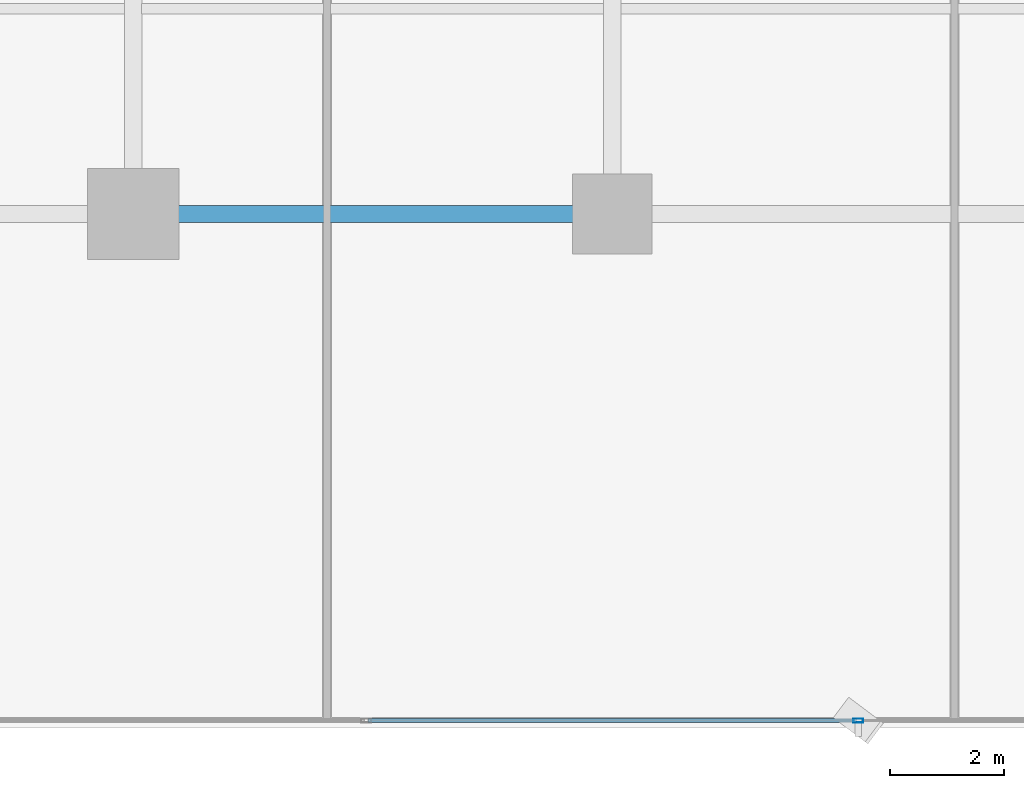
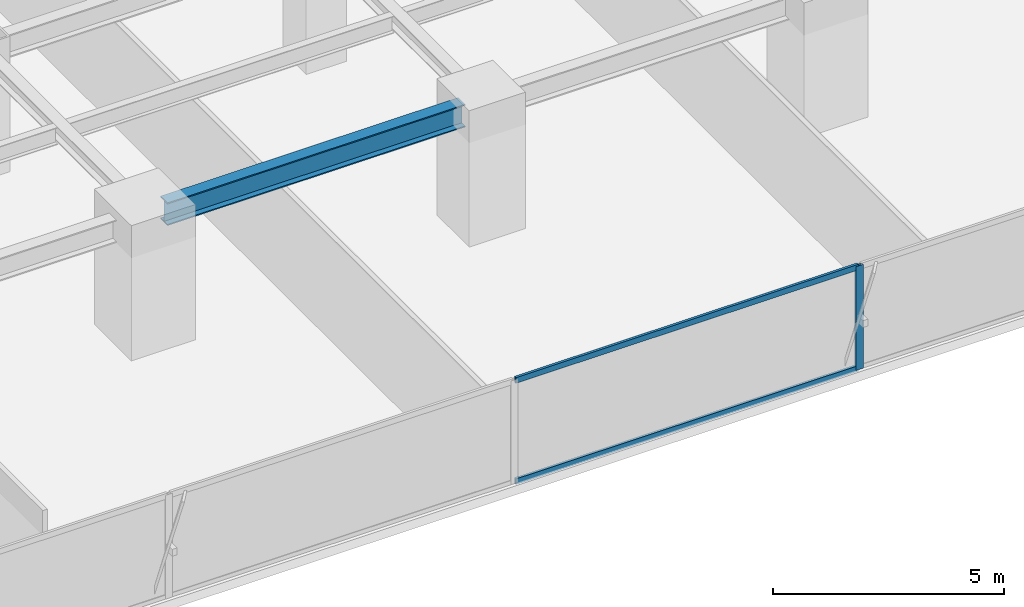
# One storey, part 5 of 33: 3 members, 1 beam, 1 element without a shape of its own.
"""IFC4 building model written with IfcOpenShell, lengths in metres."""

from ifc_helpers import new_model, si_unit, direction, frame, origin, origin_2d, place, context, subcontext, project, spatial, hollow_rectangle, i_section, extrude, source, transform, mapped, material, layer, layer_set, material_profile, profile_set, type_object, element, aggregate, save


model = new_model("IFC4")

# Units and contexts
model_context = context("Model", 3, precision=1e-05, world=origin(), true_north=direction((0.0, 1.0)))
body_context = subcontext(model_context, "Body", "Model", "MODEL_VIEW")
ifc_project = project(units=[si_unit("LENGTHUNIT", "METRE"), si_unit("AREAUNIT", "SQUARE_METRE"), si_unit("VOLUMEUNIT", "CUBIC_METRE"), si_unit("PLANEANGLEUNIT", "RADIAN"), si_unit("MASSUNIT", "GRAM", prefix="KILO")], contexts=[model_context])

# Site, building, storey
site_placement = place(None, origin())
site = spatial("IfcSite", under=ifc_project, at=site_placement, CompositionType="ELEMENT")
building_placement = place(site_placement, origin())
building = spatial("IfcBuilding", under=site, at=building_placement, Name="Sumidabori Civic Tower", CompositionType="ELEMENT")
storey_placement = place(building_placement, frame((0.0, 0.0, 23.60009765625)))
storey = spatial("IfcBuildingStorey", under=building, at=storey_placement, Name="L05", CompositionType="ELEMENT", Elevation=23.60009765625)

# Beam
ifc_material_1 = material(Name="Steel SN490", Category="steel")
ifc_material_profile_1 = material_profile(ifc_material_1, i_section(OverallWidth=0.300048828125, OverallDepth=0.60009765625, WebThickness=0.015380859375, FlangeThickness=0.030029296875, at=origin_2d()), Name="HE 600 B")
ifc_profile_set_1 = profile_set([ifc_material_profile_1], Name="Steel SN490")
beam_type = type_object("IfcBeamType", Name="BM-GIRD-600", PredefinedType="BEAM", material=ifc_profile_set_1)
shared_shape_1 = source(origin(), body_context, "Body", "SweptSolid", [
    extrude(i_section(OverallWidth=0.300048828125, OverallDepth=0.60009765625, WebThickness=0.015380859375, FlangeThickness=0.030029296875, at=origin_2d()), origin(), (0.0, 0.0, 1.0), 7.43994140625),
])
beam_placement = place(storey_placement, frame((-7.919921875, -18.0, 3.059814453125), z_axis=(1.0, 0.0, 0.0), x_axis=(0.0, 1.0, 0.0)))
element("IfcBeam", 1, at=beam_placement, inside=storey, type_object=beam_type, Name="Primary Girder L05 GX-03", PredefinedType="BEAM", context=body_context, shape_type="MappedRepresentation", body=[
    mapped(shared_shape_1, transform((0.0, 0.0, 0.0), x_axis=(1.0, 0.0, 0.0), y_axis=(0.0, 1.0, 0.0), z_axis=(0.0, 0.0, 1.0), scale=1.0)),
])

# Curtain wall, members
ifc_material_2 = material(Name="Anodised Bronze Aluminium AW-6063-T6", Category="aluminium")
ifc_layer = layer(ifc_material_2, 0.179931640625, Name="Anodised Bronze Aluminium AW-6063-T6")
ifc_layer_set = layer_set([ifc_layer], Name="Anodised Bronze Aluminium AW-6063-T6")
curtain_wall_type = type_object("IfcCurtainWallType", Name="CW-SYS-2", PredefinedType="NOTDEFINED", material=ifc_layer_set)
curtain_wall_placement = place(storey_placement, origin())
curtain_wall = element("IfcCurtainWall", 2, at=curtain_wall_placement, inside=storey, type_object=curtain_wall_type, Name="Curtain Wall CW:L05:R01", PredefinedType="NOTDEFINED")
ifc_material_profile_2 = material_profile(ifc_material_2, hollow_rectangle(XDim=0.070068359375, YDim=0.179931640625, WallThickness=0.006103515625, at=origin_2d()), Name="ALU MULLION 180x70")
ifc_profile_set_2 = profile_set([ifc_material_profile_2], Name="Anodised Bronze Aluminium AW-6063-T6")
member_type_1 = type_object("IfcMemberType", Name="CW-MUL-180", PredefinedType="MULLION", material=ifc_profile_set_2)
shared_shape_2 = source(origin(), body_context, "Body", "SweptSolid", [
    extrude(hollow_rectangle(XDim=0.070068359375, YDim=0.179931640625, WallThickness=0.006103515625, at=origin_2d()), origin(), (0.0, 0.0, 1.0), 2.739990234375),
])
member_1_placement = place(storey_placement, frame((4.31396484375, -26.8798828125, 0.0), z_axis=(0.0, 0.0, 1.0), x_axis=(0.0, 1.0, 0.0)))
member_1 = element("IfcMember", 3, at=member_1_placement, type_object=member_type_1, Name="CW-2 mullion 4", PredefinedType="MULLION", context=body_context, shape_type="MappedRepresentation", body=[
    mapped(shared_shape_2, transform((0.0, 0.0, 0.0), x_axis=(1.0, 0.0, 0.0), y_axis=(0.0, 1.0, 0.0), z_axis=(0.0, 0.0, 1.0), scale=1.0)),
])
ifc_material_profile_3 = material_profile(ifc_material_2, hollow_rectangle(XDim=0.06494140625, YDim=0.14990234375, WallThickness=0.0048828125, at=origin_2d()), Name="ALU TRANSOM 150x65")
ifc_profile_set_3 = profile_set([ifc_material_profile_3], Name="Anodised Bronze Aluminium AW-6063-T6")
member_type_2 = type_object("IfcMemberType", Name="CW-TRN-150", PredefinedType="USERDEFINED", material=ifc_profile_set_3)
shared_shape_3 = source(origin(), body_context, "Body", "SweptSolid", [
    extrude(hollow_rectangle(XDim=0.06494140625, YDim=0.14990234375, WallThickness=0.0048828125, at=origin_2d()), origin(), (0.0, 0.0, 1.0), 8.55810546875),
])
member_2_placement = place(storey_placement, frame((-4.279052734375, -26.8798828125, 0.032470703125), z_axis=(1.0, 0.0, 0.0), x_axis=(0.0, 1.0, 0.0)))
member_2 = element("IfcMember", 4, at=member_2_placement, type_object=member_type_2, Name="CW-2 transom 3.1", ObjectType="TRANSOM", PredefinedType="USERDEFINED", context=body_context, shape_type="MappedRepresentation", body=[
    mapped(shared_shape_3, transform((0.0, 0.0, 0.0), x_axis=(1.0, 0.0, 0.0), y_axis=(0.0, 1.0, 0.0), z_axis=(0.0, 0.0, 1.0), scale=1.0)),
])
member_3_placement = place(storey_placement, frame((-4.279052734375, -26.8798828125, 2.70751953125), z_axis=(1.0, 0.0, 0.0), x_axis=(0.0, 1.0, 0.0)))
member_3 = element("IfcMember", 5, at=member_3_placement, type_object=member_type_2, Name="CW-2 transom 3.2", ObjectType="TRANSOM", PredefinedType="USERDEFINED", context=body_context, shape_type="MappedRepresentation", body=[
    mapped(shared_shape_3, transform((0.0, 0.0, 0.0), x_axis=(1.0, 0.0, 0.0), y_axis=(0.0, 1.0, 0.0), z_axis=(0.0, 0.0, 1.0), scale=1.0)),
])
aggregate(curtain_wall, [member_1, member_2, member_3])

save(model, "model.ifc")
